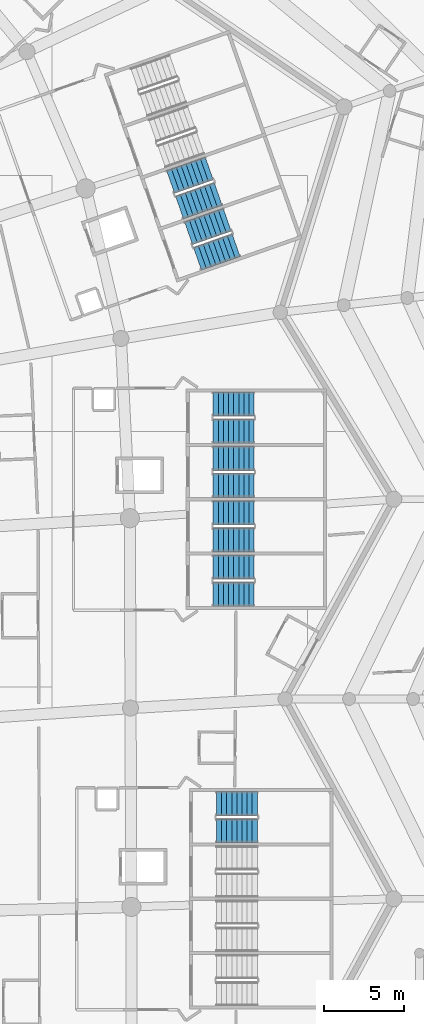
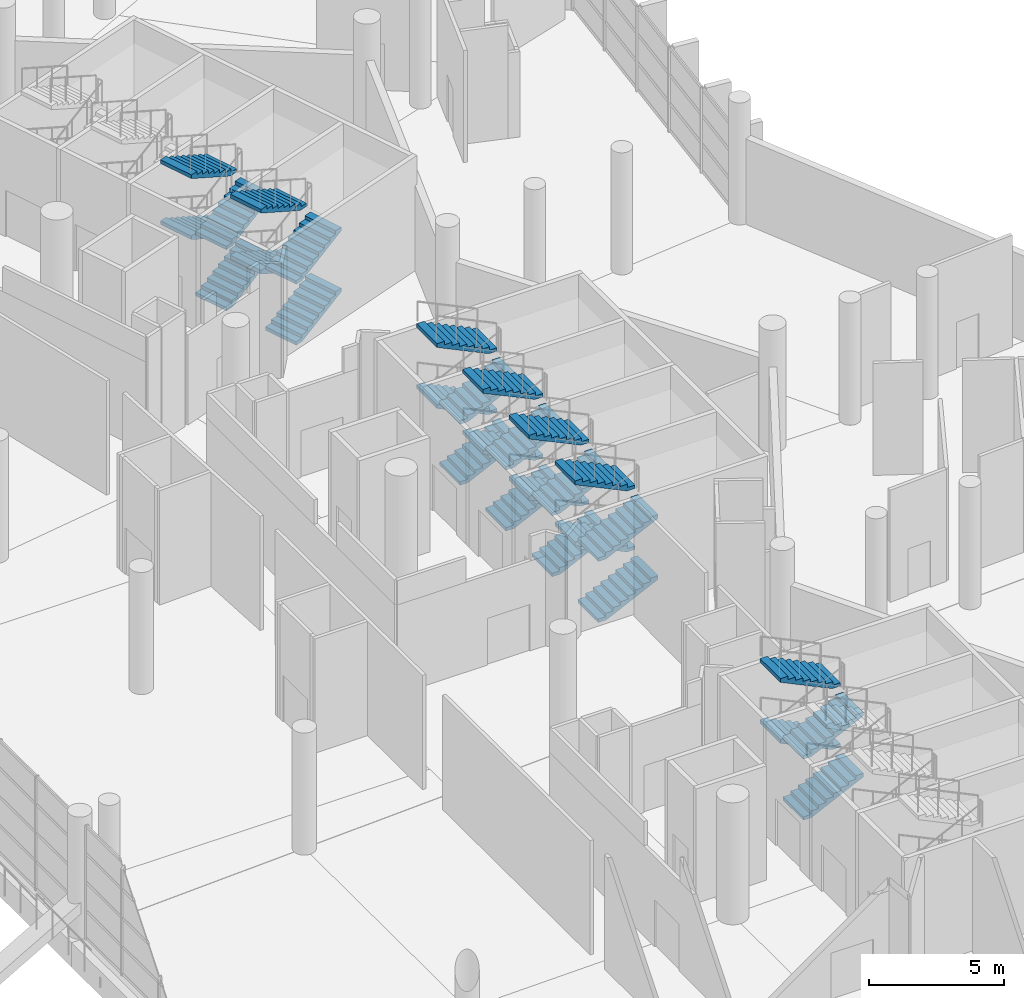
# One storey, part 218 of 271: 28 stair flights, 7 elements without a shape of their own.
"""IFC4 building model written with IfcOpenShell, lengths in metres."""

from ifc_helpers import new_model, si_unit, direction, frame, origin, place, context, subcontext, project, spatial, polyline, outline, extrude, material, type_object, element, aggregate, save


model = new_model("IFC4")

# Units and contexts
model_context = context("Model", 3, precision=1e-05, world=origin(), true_north=direction((0.0, 1.0)))
body_context = subcontext(model_context, "Body", "Model", "MODEL_VIEW")
ifc_project = project(units=[si_unit("LENGTHUNIT", "METRE"), si_unit("AREAUNIT", "SQUARE_METRE"), si_unit("VOLUMEUNIT", "CUBIC_METRE"), si_unit("PLANEANGLEUNIT", "RADIAN"), si_unit("MASSUNIT", "GRAM", prefix="KILO")], contexts=[model_context])

# Site, building, storey
site_placement = place(None, origin())
site = spatial("IfcSite", under=ifc_project, at=site_placement, CompositionType="ELEMENT")
building_placement = place(site_placement, origin())
building = spatial("IfcBuilding", under=site, at=building_placement, Name="Meseta Stadium", CompositionType="ELEMENT")
storey_placement = place(building_placement, frame((0.0, 0.0, 6.5)))
storey = spatial("IfcBuildingStorey", under=building, at=storey_placement, Name="L01", CompositionType="ELEMENT", Elevation=6.5)

# Stair, stair flights
ifc_material_1 = material(Name="Concrete C40/50", Category="concrete")
stair_type = type_object("IfcStairType", Name="Exit stair 4 flights 153 mm risers", PredefinedType="HALF_TURN_STAIR", material=ifc_material_1)
stair_1_placement = place(storey_placement, origin())
stair_1 = element("IfcStair", 1, at=stair_1_placement, inside=storey, type_object=stair_type, Name="ST16 L01", PredefinedType="HALF_TURN_STAIR")
ifc_material_2 = material(Name="Concrete C40/50", Category="concrete")
stair_flight_type = type_object("IfcStairFlightType", Name="Exit stair flight 153 mm risers, 4 per storey", PredefinedType="STRAIGHT", material=ifc_material_2)
stair_flight_1_placement = place(storey_placement, frame((90.300048828125, 23.0, 0.0), z_axis=(0.0, 0.0, 1.0), x_axis=(1.0, 0.0, 0.0)))
stair_flight_1 = element("IfcStairFlight", 2, at=stair_flight_1_placement, type_object=stair_flight_type, Name="ST16 L01 flight 1", NumberOfRisers=9, NumberOfTreads=8, PredefinedType="STRAIGHT", RiserHeight=0.152777778, TreadLength=0.32, context=body_context, shape_type="SweptSolid", body=[
    extrude(outline(polyline([(0.0, 0.0), (0.0, 0.15283203125), (0.320068359375, 0.15283203125), (0.320068359375, 0.3056640625), (0.639892578125, 0.3056640625), (0.639892578125, 0.458251953125), (0.9599609375, 0.458251953125), (0.9599609375, 0.611083984375), (1.280029296875, 0.611083984375), (1.280029296875, 0.763916015625), (1.60009765625, 0.763916015625), (1.60009765625, 0.916748046875), (1.919921875, 0.916748046875), (1.919921875, 1.0693359375), (2.239990234375, 1.0693359375), (2.239990234375, 1.22216796875), (2.56005859375, 1.22216796875), (2.56005859375, 1.05615234375), (0.347900390625, 0.0), (0.0, 0.0)])), frame((0.0, 0.75, 0.0), z_axis=(0.0, -1.0, 0.0), x_axis=(1.0, 0.0, 0.0)), (0.0, 0.0, 1.0), 1.5),
])
stair_flight_2_placement = place(storey_placement, frame((92.860107421875, 24.699951171875, 1.375), z_axis=(0.0, 0.0, 1.0), x_axis=(-1.0, 0.0, 0.0)))
stair_flight_2 = element("IfcStairFlight", 3, at=stair_flight_2_placement, type_object=stair_flight_type, Name="ST16 L01 flight 2", NumberOfRisers=9, NumberOfTreads=8, PredefinedType="STRAIGHT", RiserHeight=0.152777778, TreadLength=0.32, context=body_context, shape_type="SweptSolid", body=[
    extrude(outline(polyline([(0.0, 0.0), (0.0, 0.15283203125), (0.320068359375, 0.15283203125), (0.320068359375, 0.3056640625), (0.639892578125, 0.3056640625), (0.639892578125, 0.458251953125), (0.9599609375, 0.458251953125), (0.9599609375, 0.611083984375), (1.280029296875, 0.611083984375), (1.280029296875, 0.763916015625), (1.60009765625, 0.763916015625), (1.60009765625, 0.916748046875), (1.919921875, 0.916748046875), (1.919921875, 1.0693359375), (2.239990234375, 1.0693359375), (2.239990234375, 1.22216796875), (2.56005859375, 1.22216796875), (2.56005859375, 1.05615234375), (0.347900390625, 0.0), (0.0, 0.0)])), frame((0.0, 0.75, 0.0), z_axis=(0.0, -1.0, 0.0), x_axis=(1.0, 0.0, 0.0)), (0.0, 0.0, 1.0), 1.5),
])
stair_flight_3_placement = place(storey_placement, frame((90.300048828125, 23.0, 2.75), z_axis=(0.0, 0.0, 1.0), x_axis=(1.0, 0.0, 0.0)))
stair_flight_3 = element("IfcStairFlight", 4, at=stair_flight_3_placement, type_object=stair_flight_type, Name="ST16 L01 flight 3", NumberOfRisers=9, NumberOfTreads=8, PredefinedType="STRAIGHT", RiserHeight=0.152777778, TreadLength=0.32, context=body_context, shape_type="SweptSolid", body=[
    extrude(outline(polyline([(0.0, 0.0), (0.0, 0.15283203125), (0.320068359375, 0.15283203125), (0.320068359375, 0.3056640625), (0.639892578125, 0.3056640625), (0.639892578125, 0.458251953125), (0.9599609375, 0.458251953125), (0.9599609375, 0.611083984375), (1.280029296875, 0.611083984375), (1.280029296875, 0.763916015625), (1.60009765625, 0.763916015625), (1.60009765625, 0.916748046875), (1.919921875, 0.916748046875), (1.919921875, 1.0693359375), (2.239990234375, 1.0693359375), (2.239990234375, 1.22216796875), (2.56005859375, 1.22216796875), (2.56005859375, 1.05615234375), (0.347900390625, 0.0), (0.0, 0.0)])), frame((0.0, 0.75, 0.0), z_axis=(0.0, -1.0, 0.0), x_axis=(1.0, 0.0, 0.0)), (0.0, 0.0, 1.0), 1.5),
])
stair_flight_4_placement = place(storey_placement, frame((92.860107421875, 24.699951171875, 4.125), z_axis=(0.0, 0.0, 1.0), x_axis=(-1.0, 0.0, 0.0)))
stair_flight_4 = element("IfcStairFlight", 5, at=stair_flight_4_placement, type_object=stair_flight_type, Name="ST16 L01 flight 4", NumberOfRisers=9, NumberOfTreads=8, PredefinedType="STRAIGHT", RiserHeight=0.152777778, TreadLength=0.32, context=body_context, shape_type="SweptSolid", body=[
    extrude(outline(polyline([(0.0, 0.0), (0.0, 0.15283203125), (0.320068359375, 0.15283203125), (0.320068359375, 0.3056640625), (0.639892578125, 0.3056640625), (0.639892578125, 0.458251953125), (0.9599609375, 0.458251953125), (0.9599609375, 0.611083984375), (1.280029296875, 0.611083984375), (1.280029296875, 0.763916015625), (1.60009765625, 0.763916015625), (1.60009765625, 0.916748046875), (1.919921875, 0.916748046875), (1.919921875, 1.0693359375), (2.239990234375, 1.0693359375), (2.239990234375, 1.22216796875), (2.56005859375, 1.22216796875), (2.56005859375, 1.05615234375), (0.347900390625, 0.0), (0.0, 0.0)])), frame((0.0, 0.75, 0.0), z_axis=(0.0, -1.0, 0.0), x_axis=(1.0, 0.0, 0.0)), (0.0, 0.0, 1.0), 1.5),
])
aggregate(stair_1, [stair_flight_1, stair_flight_2, stair_flight_3, stair_flight_4])

stair_2_placement = place(storey_placement, origin())
stair_2 = element("IfcStair", 6, at=stair_2_placement, inside=storey, type_object=stair_type, Name="ST17 L01", PredefinedType="HALF_TURN_STAIR")
stair_flight_5_placement = place(storey_placement, frame((90.10009765625, 37.800048828125, 0.0), z_axis=(0.0, 0.0, 1.0), x_axis=(1.0, 0.0, 0.0)))
stair_flight_5 = element("IfcStairFlight", 7, at=stair_flight_5_placement, type_object=stair_flight_type, Name="ST17 L01 flight 1", NumberOfRisers=9, NumberOfTreads=8, PredefinedType="STRAIGHT", RiserHeight=0.152777778, TreadLength=0.32, context=body_context, shape_type="SweptSolid", body=[
    extrude(outline(polyline([(0.0, 0.0), (0.0, 0.15283203125), (0.320068359375, 0.15283203125), (0.320068359375, 0.3056640625), (0.639892578125, 0.3056640625), (0.639892578125, 0.458251953125), (0.9599609375, 0.458251953125), (0.9599609375, 0.611083984375), (1.280029296875, 0.611083984375), (1.280029296875, 0.763916015625), (1.60009765625, 0.763916015625), (1.60009765625, 0.916748046875), (1.919921875, 0.916748046875), (1.919921875, 1.0693359375), (2.239990234375, 1.0693359375), (2.239990234375, 1.22216796875), (2.56005859375, 1.22216796875), (2.56005859375, 1.05615234375), (0.347900390625, 0.0), (0.0, 0.0)])), frame((0.0, 0.75, 0.0), z_axis=(0.0, -1.0, 0.0), x_axis=(1.0, 0.0, 0.0)), (0.0, 0.0, 1.0), 1.5),
])
stair_flight_6_placement = place(storey_placement, frame((92.659912109375, 39.5, 1.375), z_axis=(0.0, 0.0, 1.0), x_axis=(-1.0, 0.0, 0.0)))
stair_flight_6 = element("IfcStairFlight", 8, at=stair_flight_6_placement, type_object=stair_flight_type, Name="ST17 L01 flight 2", NumberOfRisers=9, NumberOfTreads=8, PredefinedType="STRAIGHT", RiserHeight=0.152777778, TreadLength=0.32, context=body_context, shape_type="SweptSolid", body=[
    extrude(outline(polyline([(0.0, 0.0), (0.0, 0.15283203125), (0.320068359375, 0.15283203125), (0.320068359375, 0.3056640625), (0.639892578125, 0.3056640625), (0.639892578125, 0.458251953125), (0.9599609375, 0.458251953125), (0.9599609375, 0.611083984375), (1.280029296875, 0.611083984375), (1.280029296875, 0.763916015625), (1.60009765625, 0.763916015625), (1.60009765625, 0.916748046875), (1.919921875, 0.916748046875), (1.919921875, 1.0693359375), (2.239990234375, 1.0693359375), (2.239990234375, 1.22216796875), (2.56005859375, 1.22216796875), (2.56005859375, 1.05615234375), (0.347900390625, 0.0), (0.0, 0.0)])), frame((0.0, 0.75, 0.0), z_axis=(0.0, -1.0, 0.0), x_axis=(1.0, 0.0, 0.0)), (0.0, 0.0, 1.0), 1.5),
])
stair_flight_7_placement = place(storey_placement, frame((90.10009765625, 37.800048828125, 2.75), z_axis=(0.0, 0.0, 1.0), x_axis=(1.0, 0.0, 0.0)))
stair_flight_7 = element("IfcStairFlight", 9, at=stair_flight_7_placement, type_object=stair_flight_type, Name="ST17 L01 flight 3", NumberOfRisers=9, NumberOfTreads=8, PredefinedType="STRAIGHT", RiserHeight=0.152777778, TreadLength=0.32, context=body_context, shape_type="SweptSolid", body=[
    extrude(outline(polyline([(0.0, 0.0), (0.0, 0.15283203125), (0.320068359375, 0.15283203125), (0.320068359375, 0.3056640625), (0.639892578125, 0.3056640625), (0.639892578125, 0.458251953125), (0.9599609375, 0.458251953125), (0.9599609375, 0.611083984375), (1.280029296875, 0.611083984375), (1.280029296875, 0.763916015625), (1.60009765625, 0.763916015625), (1.60009765625, 0.916748046875), (1.919921875, 0.916748046875), (1.919921875, 1.0693359375), (2.239990234375, 1.0693359375), (2.239990234375, 1.22216796875), (2.56005859375, 1.22216796875), (2.56005859375, 1.05615234375), (0.347900390625, 0.0), (0.0, 0.0)])), frame((0.0, 0.75, 0.0), z_axis=(0.0, -1.0, 0.0), x_axis=(1.0, 0.0, 0.0)), (0.0, 0.0, 1.0), 1.5),
])
stair_flight_8_placement = place(storey_placement, frame((92.659912109375, 39.5, 4.125), z_axis=(0.0, 0.0, 1.0), x_axis=(-1.0, 0.0, 0.0)))
stair_flight_8 = element("IfcStairFlight", 10, at=stair_flight_8_placement, type_object=stair_flight_type, Name="ST17 L01 flight 4", NumberOfRisers=9, NumberOfTreads=8, PredefinedType="STRAIGHT", RiserHeight=0.152777778, TreadLength=0.32, context=body_context, shape_type="SweptSolid", body=[
    extrude(outline(polyline([(0.0, 0.0), (0.0, 0.15283203125), (0.320068359375, 0.15283203125), (0.320068359375, 0.3056640625), (0.639892578125, 0.3056640625), (0.639892578125, 0.458251953125), (0.9599609375, 0.458251953125), (0.9599609375, 0.611083984375), (1.280029296875, 0.611083984375), (1.280029296875, 0.763916015625), (1.60009765625, 0.763916015625), (1.60009765625, 0.916748046875), (1.919921875, 0.916748046875), (1.919921875, 1.0693359375), (2.239990234375, 1.0693359375), (2.239990234375, 1.22216796875), (2.56005859375, 1.22216796875), (2.56005859375, 1.05615234375), (0.347900390625, 0.0), (0.0, 0.0)])), frame((0.0, 0.75, 0.0), z_axis=(0.0, -1.0, 0.0), x_axis=(1.0, 0.0, 0.0)), (0.0, 0.0, 1.0), 1.5),
])
aggregate(stair_2, [stair_flight_5, stair_flight_6, stair_flight_7, stair_flight_8])

stair_3_placement = place(storey_placement, origin())
stair_3 = element("IfcStair", 11, at=stair_3_placement, inside=storey, type_object=stair_type, Name="ST18 L01", PredefinedType="HALF_TURN_STAIR")
stair_flight_9_placement = place(storey_placement, frame((90.10009765625, 41.199951171875, 0.0), z_axis=(0.0, 0.0, 1.0), x_axis=(1.0, 0.0, 0.0)))
stair_flight_9 = element("IfcStairFlight", 12, at=stair_flight_9_placement, type_object=stair_flight_type, Name="ST18 L01 flight 1", NumberOfRisers=9, NumberOfTreads=8, PredefinedType="STRAIGHT", RiserHeight=0.152777778, TreadLength=0.32, context=body_context, shape_type="SweptSolid", body=[
    extrude(outline(polyline([(0.0, 0.0), (0.0, 0.15283203125), (0.320068359375, 0.15283203125), (0.320068359375, 0.3056640625), (0.639892578125, 0.3056640625), (0.639892578125, 0.458251953125), (0.9599609375, 0.458251953125), (0.9599609375, 0.611083984375), (1.280029296875, 0.611083984375), (1.280029296875, 0.763916015625), (1.60009765625, 0.763916015625), (1.60009765625, 0.916748046875), (1.919921875, 0.916748046875), (1.919921875, 1.0693359375), (2.239990234375, 1.0693359375), (2.239990234375, 1.22216796875), (2.56005859375, 1.22216796875), (2.56005859375, 1.05615234375), (0.347900390625, 0.0), (0.0, 0.0)])), frame((0.0, 0.75, 0.0), z_axis=(0.0, -1.0, 0.0), x_axis=(1.0, 0.0, 0.0)), (0.0, 0.0, 1.0), 1.5),
])
stair_flight_10_placement = place(storey_placement, frame((92.659912109375, 42.89990234375, 1.375), z_axis=(0.0, 0.0, 1.0), x_axis=(-1.0, 0.0, 0.0)))
stair_flight_10 = element("IfcStairFlight", 13, at=stair_flight_10_placement, type_object=stair_flight_type, Name="ST18 L01 flight 2", NumberOfRisers=9, NumberOfTreads=8, PredefinedType="STRAIGHT", RiserHeight=0.152777778, TreadLength=0.32, context=body_context, shape_type="SweptSolid", body=[
    extrude(outline(polyline([(0.0, 0.0), (0.0, 0.15283203125), (0.320068359375, 0.15283203125), (0.320068359375, 0.3056640625), (0.639892578125, 0.3056640625), (0.639892578125, 0.458251953125), (0.9599609375, 0.458251953125), (0.9599609375, 0.611083984375), (1.280029296875, 0.611083984375), (1.280029296875, 0.763916015625), (1.60009765625, 0.763916015625), (1.60009765625, 0.916748046875), (1.919921875, 0.916748046875), (1.919921875, 1.0693359375), (2.239990234375, 1.0693359375), (2.239990234375, 1.22216796875), (2.56005859375, 1.22216796875), (2.56005859375, 1.05615234375), (0.347900390625, 0.0), (0.0, 0.0)])), frame((0.0, 0.75, 0.0), z_axis=(0.0, -1.0, 0.0), x_axis=(1.0, 0.0, 0.0)), (0.0, 0.0, 1.0), 1.5),
])
stair_flight_11_placement = place(storey_placement, frame((90.10009765625, 41.199951171875, 2.75), z_axis=(0.0, 0.0, 1.0), x_axis=(1.0, 0.0, 0.0)))
stair_flight_11 = element("IfcStairFlight", 14, at=stair_flight_11_placement, type_object=stair_flight_type, Name="ST18 L01 flight 3", NumberOfRisers=9, NumberOfTreads=8, PredefinedType="STRAIGHT", RiserHeight=0.152777778, TreadLength=0.32, context=body_context, shape_type="SweptSolid", body=[
    extrude(outline(polyline([(0.0, 0.0), (0.0, 0.15283203125), (0.320068359375, 0.15283203125), (0.320068359375, 0.3056640625), (0.639892578125, 0.3056640625), (0.639892578125, 0.458251953125), (0.9599609375, 0.458251953125), (0.9599609375, 0.611083984375), (1.280029296875, 0.611083984375), (1.280029296875, 0.763916015625), (1.60009765625, 0.763916015625), (1.60009765625, 0.916748046875), (1.919921875, 0.916748046875), (1.919921875, 1.0693359375), (2.239990234375, 1.0693359375), (2.239990234375, 1.22216796875), (2.56005859375, 1.22216796875), (2.56005859375, 1.05615234375), (0.347900390625, 0.0), (0.0, 0.0)])), frame((0.0, 0.75, 0.0), z_axis=(0.0, -1.0, 0.0), x_axis=(1.0, 0.0, 0.0)), (0.0, 0.0, 1.0), 1.5),
])
stair_flight_12_placement = place(storey_placement, frame((92.659912109375, 42.89990234375, 4.125), z_axis=(0.0, 0.0, 1.0), x_axis=(-1.0, 0.0, 0.0)))
stair_flight_12 = element("IfcStairFlight", 15, at=stair_flight_12_placement, type_object=stair_flight_type, Name="ST18 L01 flight 4", NumberOfRisers=9, NumberOfTreads=8, PredefinedType="STRAIGHT", RiserHeight=0.152777778, TreadLength=0.32, context=body_context, shape_type="SweptSolid", body=[
    extrude(outline(polyline([(0.0, 0.0), (0.0, 0.15283203125), (0.320068359375, 0.15283203125), (0.320068359375, 0.3056640625), (0.639892578125, 0.3056640625), (0.639892578125, 0.458251953125), (0.9599609375, 0.458251953125), (0.9599609375, 0.611083984375), (1.280029296875, 0.611083984375), (1.280029296875, 0.763916015625), (1.60009765625, 0.763916015625), (1.60009765625, 0.916748046875), (1.919921875, 0.916748046875), (1.919921875, 1.0693359375), (2.239990234375, 1.0693359375), (2.239990234375, 1.22216796875), (2.56005859375, 1.22216796875), (2.56005859375, 1.05615234375), (0.347900390625, 0.0), (0.0, 0.0)])), frame((0.0, 0.75, 0.0), z_axis=(0.0, -1.0, 0.0), x_axis=(1.0, 0.0, 0.0)), (0.0, 0.0, 1.0), 1.5),
])
aggregate(stair_3, [stair_flight_9, stair_flight_10, stair_flight_11, stair_flight_12])

stair_4_placement = place(storey_placement, origin())
stair_4 = element("IfcStair", 16, at=stair_4_placement, inside=storey, type_object=stair_type, Name="ST19 L01", PredefinedType="HALF_TURN_STAIR")
stair_flight_13_placement = place(storey_placement, frame((90.10009765625, 44.60009765625, 0.0), z_axis=(0.0, 0.0, 1.0), x_axis=(1.0, 0.0, 0.0)))
stair_flight_13 = element("IfcStairFlight", 17, at=stair_flight_13_placement, type_object=stair_flight_type, Name="ST19 L01 flight 1", NumberOfRisers=9, NumberOfTreads=8, PredefinedType="STRAIGHT", RiserHeight=0.152777778, TreadLength=0.32, context=body_context, shape_type="SweptSolid", body=[
    extrude(outline(polyline([(0.0, 0.0), (0.0, 0.15283203125), (0.320068359375, 0.15283203125), (0.320068359375, 0.3056640625), (0.639892578125, 0.3056640625), (0.639892578125, 0.458251953125), (0.9599609375, 0.458251953125), (0.9599609375, 0.611083984375), (1.280029296875, 0.611083984375), (1.280029296875, 0.763916015625), (1.60009765625, 0.763916015625), (1.60009765625, 0.916748046875), (1.919921875, 0.916748046875), (1.919921875, 1.0693359375), (2.239990234375, 1.0693359375), (2.239990234375, 1.22216796875), (2.56005859375, 1.22216796875), (2.56005859375, 1.05615234375), (0.347900390625, 0.0), (0.0, 0.0)])), frame((0.0, 0.75, 0.0), z_axis=(0.0, -1.0, 0.0), x_axis=(1.0, 0.0, 0.0)), (0.0, 0.0, 1.0), 1.5),
])
stair_flight_14_placement = place(storey_placement, frame((92.659912109375, 46.300048828125, 1.375), z_axis=(0.0, 0.0, 1.0), x_axis=(-1.0, 0.0, 0.0)))
stair_flight_14 = element("IfcStairFlight", 18, at=stair_flight_14_placement, type_object=stair_flight_type, Name="ST19 L01 flight 2", NumberOfRisers=9, NumberOfTreads=8, PredefinedType="STRAIGHT", RiserHeight=0.152777778, TreadLength=0.32, context=body_context, shape_type="SweptSolid", body=[
    extrude(outline(polyline([(0.0, 0.0), (0.0, 0.15283203125), (0.320068359375, 0.15283203125), (0.320068359375, 0.3056640625), (0.639892578125, 0.3056640625), (0.639892578125, 0.458251953125), (0.9599609375, 0.458251953125), (0.9599609375, 0.611083984375), (1.280029296875, 0.611083984375), (1.280029296875, 0.763916015625), (1.60009765625, 0.763916015625), (1.60009765625, 0.916748046875), (1.919921875, 0.916748046875), (1.919921875, 1.0693359375), (2.239990234375, 1.0693359375), (2.239990234375, 1.22216796875), (2.56005859375, 1.22216796875), (2.56005859375, 1.05615234375), (0.347900390625, 0.0), (0.0, 0.0)])), frame((0.0, 0.75, 0.0), z_axis=(0.0, -1.0, 0.0), x_axis=(1.0, 0.0, 0.0)), (0.0, 0.0, 1.0), 1.5),
])
stair_flight_15_placement = place(storey_placement, frame((90.10009765625, 44.60009765625, 2.75), z_axis=(0.0, 0.0, 1.0), x_axis=(1.0, 0.0, 0.0)))
stair_flight_15 = element("IfcStairFlight", 19, at=stair_flight_15_placement, type_object=stair_flight_type, Name="ST19 L01 flight 3", NumberOfRisers=9, NumberOfTreads=8, PredefinedType="STRAIGHT", RiserHeight=0.152777778, TreadLength=0.32, context=body_context, shape_type="SweptSolid", body=[
    extrude(outline(polyline([(0.0, 0.0), (0.0, 0.15283203125), (0.320068359375, 0.15283203125), (0.320068359375, 0.3056640625), (0.639892578125, 0.3056640625), (0.639892578125, 0.458251953125), (0.9599609375, 0.458251953125), (0.9599609375, 0.611083984375), (1.280029296875, 0.611083984375), (1.280029296875, 0.763916015625), (1.60009765625, 0.763916015625), (1.60009765625, 0.916748046875), (1.919921875, 0.916748046875), (1.919921875, 1.0693359375), (2.239990234375, 1.0693359375), (2.239990234375, 1.22216796875), (2.56005859375, 1.22216796875), (2.56005859375, 1.05615234375), (0.347900390625, 0.0), (0.0, 0.0)])), frame((0.0, 0.75, 0.0), z_axis=(0.0, -1.0, 0.0), x_axis=(1.0, 0.0, 0.0)), (0.0, 0.0, 1.0), 1.5),
])
stair_flight_16_placement = place(storey_placement, frame((92.659912109375, 46.300048828125, 4.125), z_axis=(0.0, 0.0, 1.0), x_axis=(-1.0, 0.0, 0.0)))
stair_flight_16 = element("IfcStairFlight", 20, at=stair_flight_16_placement, type_object=stair_flight_type, Name="ST19 L01 flight 4", NumberOfRisers=9, NumberOfTreads=8, PredefinedType="STRAIGHT", RiserHeight=0.152777778, TreadLength=0.32, context=body_context, shape_type="SweptSolid", body=[
    extrude(outline(polyline([(0.0, 0.0), (0.0, 0.15283203125), (0.320068359375, 0.15283203125), (0.320068359375, 0.3056640625), (0.639892578125, 0.3056640625), (0.639892578125, 0.458251953125), (0.9599609375, 0.458251953125), (0.9599609375, 0.611083984375), (1.280029296875, 0.611083984375), (1.280029296875, 0.763916015625), (1.60009765625, 0.763916015625), (1.60009765625, 0.916748046875), (1.919921875, 0.916748046875), (1.919921875, 1.0693359375), (2.239990234375, 1.0693359375), (2.239990234375, 1.22216796875), (2.56005859375, 1.22216796875), (2.56005859375, 1.05615234375), (0.347900390625, 0.0), (0.0, 0.0)])), frame((0.0, 0.75, 0.0), z_axis=(0.0, -1.0, 0.0), x_axis=(1.0, 0.0, 0.0)), (0.0, 0.0, 1.0), 1.5),
])
aggregate(stair_4, [stair_flight_13, stair_flight_14, stair_flight_15, stair_flight_16])

stair_5_placement = place(storey_placement, origin())
stair_5 = element("IfcStair", 21, at=stair_5_placement, inside=storey, type_object=stair_type, Name="ST20 L01", PredefinedType="HALF_TURN_STAIR")
stair_flight_17_placement = place(storey_placement, frame((90.10009765625, 48.0, 0.0), z_axis=(0.0, 0.0, 1.0), x_axis=(1.0, 0.0, 0.0)))
stair_flight_17 = element("IfcStairFlight", 22, at=stair_flight_17_placement, type_object=stair_flight_type, Name="ST20 L01 flight 1", NumberOfRisers=9, NumberOfTreads=8, PredefinedType="STRAIGHT", RiserHeight=0.152777778, TreadLength=0.32, context=body_context, shape_type="SweptSolid", body=[
    extrude(outline(polyline([(0.0, 0.0), (0.0, 0.15283203125), (0.320068359375, 0.15283203125), (0.320068359375, 0.3056640625), (0.639892578125, 0.3056640625), (0.639892578125, 0.458251953125), (0.9599609375, 0.458251953125), (0.9599609375, 0.611083984375), (1.280029296875, 0.611083984375), (1.280029296875, 0.763916015625), (1.60009765625, 0.763916015625), (1.60009765625, 0.916748046875), (1.919921875, 0.916748046875), (1.919921875, 1.0693359375), (2.239990234375, 1.0693359375), (2.239990234375, 1.22216796875), (2.56005859375, 1.22216796875), (2.56005859375, 1.05615234375), (0.347900390625, 0.0), (0.0, 0.0)])), frame((0.0, 0.75, 0.0), z_axis=(0.0, -1.0, 0.0), x_axis=(1.0, 0.0, 0.0)), (0.0, 0.0, 1.0), 1.5),
])
stair_flight_18_placement = place(storey_placement, frame((92.659912109375, 49.699951171875, 1.375), z_axis=(0.0, 0.0, 1.0), x_axis=(-1.0, 0.0, 0.0)))
stair_flight_18 = element("IfcStairFlight", 23, at=stair_flight_18_placement, type_object=stair_flight_type, Name="ST20 L01 flight 2", NumberOfRisers=9, NumberOfTreads=8, PredefinedType="STRAIGHT", RiserHeight=0.152777778, TreadLength=0.32, context=body_context, shape_type="SweptSolid", body=[
    extrude(outline(polyline([(0.0, 0.0), (0.0, 0.15283203125), (0.320068359375, 0.15283203125), (0.320068359375, 0.3056640625), (0.639892578125, 0.3056640625), (0.639892578125, 0.458251953125), (0.9599609375, 0.458251953125), (0.9599609375, 0.611083984375), (1.280029296875, 0.611083984375), (1.280029296875, 0.763916015625), (1.60009765625, 0.763916015625), (1.60009765625, 0.916748046875), (1.919921875, 0.916748046875), (1.919921875, 1.0693359375), (2.239990234375, 1.0693359375), (2.239990234375, 1.22216796875), (2.56005859375, 1.22216796875), (2.56005859375, 1.05615234375), (0.347900390625, 0.0), (0.0, 0.0)])), frame((0.0, 0.75, 0.0), z_axis=(0.0, -1.0, 0.0), x_axis=(1.0, 0.0, 0.0)), (0.0, 0.0, 1.0), 1.5),
])
stair_flight_19_placement = place(storey_placement, frame((90.10009765625, 48.0, 2.75), z_axis=(0.0, 0.0, 1.0), x_axis=(1.0, 0.0, 0.0)))
stair_flight_19 = element("IfcStairFlight", 24, at=stair_flight_19_placement, type_object=stair_flight_type, Name="ST20 L01 flight 3", NumberOfRisers=9, NumberOfTreads=8, PredefinedType="STRAIGHT", RiserHeight=0.152777778, TreadLength=0.32, context=body_context, shape_type="SweptSolid", body=[
    extrude(outline(polyline([(0.0, 0.0), (0.0, 0.15283203125), (0.320068359375, 0.15283203125), (0.320068359375, 0.3056640625), (0.639892578125, 0.3056640625), (0.639892578125, 0.458251953125), (0.9599609375, 0.458251953125), (0.9599609375, 0.611083984375), (1.280029296875, 0.611083984375), (1.280029296875, 0.763916015625), (1.60009765625, 0.763916015625), (1.60009765625, 0.916748046875), (1.919921875, 0.916748046875), (1.919921875, 1.0693359375), (2.239990234375, 1.0693359375), (2.239990234375, 1.22216796875), (2.56005859375, 1.22216796875), (2.56005859375, 1.05615234375), (0.347900390625, 0.0), (0.0, 0.0)])), frame((0.0, 0.75, 0.0), z_axis=(0.0, -1.0, 0.0), x_axis=(1.0, 0.0, 0.0)), (0.0, 0.0, 1.0), 1.5),
])
stair_flight_20_placement = place(storey_placement, frame((92.659912109375, 49.699951171875, 4.125), z_axis=(0.0, 0.0, 1.0), x_axis=(-1.0, 0.0, 0.0)))
stair_flight_20 = element("IfcStairFlight", 25, at=stair_flight_20_placement, type_object=stair_flight_type, Name="ST20 L01 flight 4", NumberOfRisers=9, NumberOfTreads=8, PredefinedType="STRAIGHT", RiserHeight=0.152777778, TreadLength=0.32, context=body_context, shape_type="SweptSolid", body=[
    extrude(outline(polyline([(0.0, 0.0), (0.0, 0.15283203125), (0.320068359375, 0.15283203125), (0.320068359375, 0.3056640625), (0.639892578125, 0.3056640625), (0.639892578125, 0.458251953125), (0.9599609375, 0.458251953125), (0.9599609375, 0.611083984375), (1.280029296875, 0.611083984375), (1.280029296875, 0.763916015625), (1.60009765625, 0.763916015625), (1.60009765625, 0.916748046875), (1.919921875, 0.916748046875), (1.919921875, 1.0693359375), (2.239990234375, 1.0693359375), (2.239990234375, 1.22216796875), (2.56005859375, 1.22216796875), (2.56005859375, 1.05615234375), (0.347900390625, 0.0), (0.0, 0.0)])), frame((0.0, 0.75, 0.0), z_axis=(0.0, -1.0, 0.0), x_axis=(1.0, 0.0, 0.0)), (0.0, 0.0, 1.0), 1.5),
])
aggregate(stair_5, [stair_flight_17, stair_flight_18, stair_flight_19, stair_flight_20])

stair_6_placement = place(storey_placement, origin())
stair_6 = element("IfcStair", 26, at=stair_6_placement, inside=storey, type_object=stair_type, Name="ST21 L01", PredefinedType="HALF_TURN_STAIR")
stair_flight_21_placement = place(storey_placement, frame((89.118408203125, 58.7841796875, 0.0), z_axis=(0.0, 0.0, 1.0), x_axis=(0.943883331955, 0.330279057248, 0.0)))
stair_flight_21 = element("IfcStairFlight", 27, at=stair_flight_21_placement, type_object=stair_flight_type, Name="ST21 L01 flight 1", NumberOfRisers=9, NumberOfTreads=8, PredefinedType="STRAIGHT", RiserHeight=0.152777778, TreadLength=0.32, context=body_context, shape_type="SweptSolid", body=[
    extrude(outline(polyline([(0.0, 0.0), (0.0, 0.15283203125), (0.320068359375, 0.15283203125), (0.320068359375, 0.3056640625), (0.639892578125, 0.3056640625), (0.639892578125, 0.458251953125), (0.9599609375, 0.458251953125), (0.9599609375, 0.611083984375), (1.280029296875, 0.611083984375), (1.280029296875, 0.763916015625), (1.60009765625, 0.763916015625), (1.60009765625, 0.916748046875), (1.919921875, 0.916748046875), (1.919921875, 1.0693359375), (2.239990234375, 1.0693359375), (2.239990234375, 1.22216796875), (2.56005859375, 1.22216796875), (2.56005859375, 1.05615234375), (0.347900390625, 0.0), (0.0, 0.0)])), frame((0.0, 0.75, 0.0), z_axis=(0.0, -1.0, 0.0), x_axis=(1.0, 0.0, 0.0)), (0.0, 0.0, 1.0), 1.5),
])
stair_flight_22_placement = place(storey_placement, frame((90.973388671875, 61.234130859375, 1.375), z_axis=(0.0, 0.0, 1.0), x_axis=(-0.943883331955, -0.330279057248, 0.0)))
stair_flight_22 = element("IfcStairFlight", 28, at=stair_flight_22_placement, type_object=stair_flight_type, Name="ST21 L01 flight 2", NumberOfRisers=9, NumberOfTreads=8, PredefinedType="STRAIGHT", RiserHeight=0.152777778, TreadLength=0.32, context=body_context, shape_type="SweptSolid", body=[
    extrude(outline(polyline([(0.0, 0.0), (0.0, 0.15283203125), (0.320068359375, 0.15283203125), (0.320068359375, 0.3056640625), (0.639892578125, 0.3056640625), (0.639892578125, 0.458251953125), (0.9599609375, 0.458251953125), (0.9599609375, 0.611083984375), (1.280029296875, 0.611083984375), (1.280029296875, 0.763916015625), (1.60009765625, 0.763916015625), (1.60009765625, 0.916748046875), (1.919921875, 0.916748046875), (1.919921875, 1.0693359375), (2.239990234375, 1.0693359375), (2.239990234375, 1.22216796875), (2.56005859375, 1.22216796875), (2.56005859375, 1.05615234375), (0.347900390625, 0.0), (0.0, 0.0)])), frame((0.0, 0.75, 0.0), z_axis=(0.0, -1.0, 0.0), x_axis=(1.0, 0.0, 0.0)), (0.0, 0.0, 1.0), 1.5),
])
stair_flight_23_placement = place(storey_placement, frame((89.118408203125, 58.7841796875, 2.75), z_axis=(0.0, 0.0, 1.0), x_axis=(0.943883331955, 0.330279057248, 0.0)))
stair_flight_23 = element("IfcStairFlight", 29, at=stair_flight_23_placement, type_object=stair_flight_type, Name="ST21 L01 flight 3", NumberOfRisers=9, NumberOfTreads=8, PredefinedType="STRAIGHT", RiserHeight=0.152777778, TreadLength=0.32, context=body_context, shape_type="SweptSolid", body=[
    extrude(outline(polyline([(0.0, 0.0), (0.0, 0.15283203125), (0.320068359375, 0.15283203125), (0.320068359375, 0.3056640625), (0.639892578125, 0.3056640625), (0.639892578125, 0.458251953125), (0.9599609375, 0.458251953125), (0.9599609375, 0.611083984375), (1.280029296875, 0.611083984375), (1.280029296875, 0.763916015625), (1.60009765625, 0.763916015625), (1.60009765625, 0.916748046875), (1.919921875, 0.916748046875), (1.919921875, 1.0693359375), (2.239990234375, 1.0693359375), (2.239990234375, 1.22216796875), (2.56005859375, 1.22216796875), (2.56005859375, 1.05615234375), (0.347900390625, 0.0), (0.0, 0.0)])), frame((0.0, 0.75, 0.0), z_axis=(0.0, -1.0, 0.0), x_axis=(1.0, 0.0, 0.0)), (0.0, 0.0, 1.0), 1.5),
])
stair_flight_24_placement = place(storey_placement, frame((90.973388671875, 61.234130859375, 4.125), z_axis=(0.0, 0.0, 1.0), x_axis=(-0.943883331955, -0.330279057248, 0.0)))
stair_flight_24 = element("IfcStairFlight", 30, at=stair_flight_24_placement, type_object=stair_flight_type, Name="ST21 L01 flight 4", NumberOfRisers=9, NumberOfTreads=8, PredefinedType="STRAIGHT", RiserHeight=0.152777778, TreadLength=0.32, context=body_context, shape_type="SweptSolid", body=[
    extrude(outline(polyline([(0.0, 0.0), (0.0, 0.15283203125), (0.320068359375, 0.15283203125), (0.320068359375, 0.3056640625), (0.639892578125, 0.3056640625), (0.639892578125, 0.458251953125), (0.9599609375, 0.458251953125), (0.9599609375, 0.611083984375), (1.280029296875, 0.611083984375), (1.280029296875, 0.763916015625), (1.60009765625, 0.763916015625), (1.60009765625, 0.916748046875), (1.919921875, 0.916748046875), (1.919921875, 1.0693359375), (2.239990234375, 1.0693359375), (2.239990234375, 1.22216796875), (2.56005859375, 1.22216796875), (2.56005859375, 1.05615234375), (0.347900390625, 0.0), (0.0, 0.0)])), frame((0.0, 0.75, 0.0), z_axis=(0.0, -1.0, 0.0), x_axis=(1.0, 0.0, 0.0)), (0.0, 0.0, 1.0), 1.5),
])
aggregate(stair_6, [stair_flight_21, stair_flight_22, stair_flight_23, stair_flight_24])

stair_7_placement = place(storey_placement, origin())
stair_7 = element("IfcStair", 31, at=stair_7_placement, inside=storey, type_object=stair_type, Name="ST22 L01", PredefinedType="HALF_TURN_STAIR")
stair_flight_25_placement = place(storey_placement, frame((87.99560546875, 61.9931640625, 0.0), z_axis=(0.0, 0.0, 1.0), x_axis=(0.943883331955, 0.330279057248, 0.0)))
stair_flight_25 = element("IfcStairFlight", 32, at=stair_flight_25_placement, type_object=stair_flight_type, Name="ST22 L01 flight 1", NumberOfRisers=9, NumberOfTreads=8, PredefinedType="STRAIGHT", RiserHeight=0.152777778, TreadLength=0.32, context=body_context, shape_type="SweptSolid", body=[
    extrude(outline(polyline([(0.0, 0.0), (0.0, 0.15283203125), (0.320068359375, 0.15283203125), (0.320068359375, 0.3056640625), (0.639892578125, 0.3056640625), (0.639892578125, 0.458251953125), (0.9599609375, 0.458251953125), (0.9599609375, 0.611083984375), (1.280029296875, 0.611083984375), (1.280029296875, 0.763916015625), (1.60009765625, 0.763916015625), (1.60009765625, 0.916748046875), (1.919921875, 0.916748046875), (1.919921875, 1.0693359375), (2.239990234375, 1.0693359375), (2.239990234375, 1.22216796875), (2.56005859375, 1.22216796875), (2.56005859375, 1.05615234375), (0.347900390625, 0.0), (0.0, 0.0)])), frame((0.0, 0.75, 0.0), z_axis=(0.0, -1.0, 0.0), x_axis=(1.0, 0.0, 0.0)), (0.0, 0.0, 1.0), 1.5),
])
stair_flight_26_placement = place(storey_placement, frame((89.850341796875, 64.443359375, 1.375), z_axis=(0.0, 0.0, 1.0), x_axis=(-0.943883331955, -0.330279057248, 0.0)))
stair_flight_26 = element("IfcStairFlight", 33, at=stair_flight_26_placement, type_object=stair_flight_type, Name="ST22 L01 flight 2", NumberOfRisers=9, NumberOfTreads=8, PredefinedType="STRAIGHT", RiserHeight=0.152777778, TreadLength=0.32, context=body_context, shape_type="SweptSolid", body=[
    extrude(outline(polyline([(0.0, 0.0), (0.0, 0.15283203125), (0.320068359375, 0.15283203125), (0.320068359375, 0.3056640625), (0.639892578125, 0.3056640625), (0.639892578125, 0.458251953125), (0.9599609375, 0.458251953125), (0.9599609375, 0.611083984375), (1.280029296875, 0.611083984375), (1.280029296875, 0.763916015625), (1.60009765625, 0.763916015625), (1.60009765625, 0.916748046875), (1.919921875, 0.916748046875), (1.919921875, 1.0693359375), (2.239990234375, 1.0693359375), (2.239990234375, 1.22216796875), (2.56005859375, 1.22216796875), (2.56005859375, 1.05615234375), (0.347900390625, 0.0), (0.0, 0.0)])), frame((0.0, 0.75, 0.0), z_axis=(0.0, -1.0, 0.0), x_axis=(1.0, 0.0, 0.0)), (0.0, 0.0, 1.0), 1.5),
])
stair_flight_27_placement = place(storey_placement, frame((87.99560546875, 61.9931640625, 2.75), z_axis=(0.0, 0.0, 1.0), x_axis=(0.943883331955, 0.330279057248, 0.0)))
stair_flight_27 = element("IfcStairFlight", 34, at=stair_flight_27_placement, type_object=stair_flight_type, Name="ST22 L01 flight 3", NumberOfRisers=9, NumberOfTreads=8, PredefinedType="STRAIGHT", RiserHeight=0.152777778, TreadLength=0.32, context=body_context, shape_type="SweptSolid", body=[
    extrude(outline(polyline([(0.0, 0.0), (0.0, 0.15283203125), (0.320068359375, 0.15283203125), (0.320068359375, 0.3056640625), (0.639892578125, 0.3056640625), (0.639892578125, 0.458251953125), (0.9599609375, 0.458251953125), (0.9599609375, 0.611083984375), (1.280029296875, 0.611083984375), (1.280029296875, 0.763916015625), (1.60009765625, 0.763916015625), (1.60009765625, 0.916748046875), (1.919921875, 0.916748046875), (1.919921875, 1.0693359375), (2.239990234375, 1.0693359375), (2.239990234375, 1.22216796875), (2.56005859375, 1.22216796875), (2.56005859375, 1.05615234375), (0.347900390625, 0.0), (0.0, 0.0)])), frame((0.0, 0.75, 0.0), z_axis=(0.0, -1.0, 0.0), x_axis=(1.0, 0.0, 0.0)), (0.0, 0.0, 1.0), 1.5),
])
stair_flight_28_placement = place(storey_placement, frame((89.850341796875, 64.443359375, 4.125), z_axis=(0.0, 0.0, 1.0), x_axis=(-0.943883331955, -0.330279057248, 0.0)))
stair_flight_28 = element("IfcStairFlight", 35, at=stair_flight_28_placement, type_object=stair_flight_type, Name="ST22 L01 flight 4", NumberOfRisers=9, NumberOfTreads=8, PredefinedType="STRAIGHT", RiserHeight=0.152777778, TreadLength=0.32, context=body_context, shape_type="SweptSolid", body=[
    extrude(outline(polyline([(0.0, 0.0), (0.0, 0.15283203125), (0.320068359375, 0.15283203125), (0.320068359375, 0.3056640625), (0.639892578125, 0.3056640625), (0.639892578125, 0.458251953125), (0.9599609375, 0.458251953125), (0.9599609375, 0.611083984375), (1.280029296875, 0.611083984375), (1.280029296875, 0.763916015625), (1.60009765625, 0.763916015625), (1.60009765625, 0.916748046875), (1.919921875, 0.916748046875), (1.919921875, 1.0693359375), (2.239990234375, 1.0693359375), (2.239990234375, 1.22216796875), (2.56005859375, 1.22216796875), (2.56005859375, 1.05615234375), (0.347900390625, 0.0), (0.0, 0.0)])), frame((0.0, 0.75, 0.0), z_axis=(0.0, -1.0, 0.0), x_axis=(1.0, 0.0, 0.0)), (0.0, 0.0, 1.0), 1.5),
])
aggregate(stair_7, [stair_flight_25, stair_flight_26, stair_flight_27, stair_flight_28])

save(model, "model.ifc")
